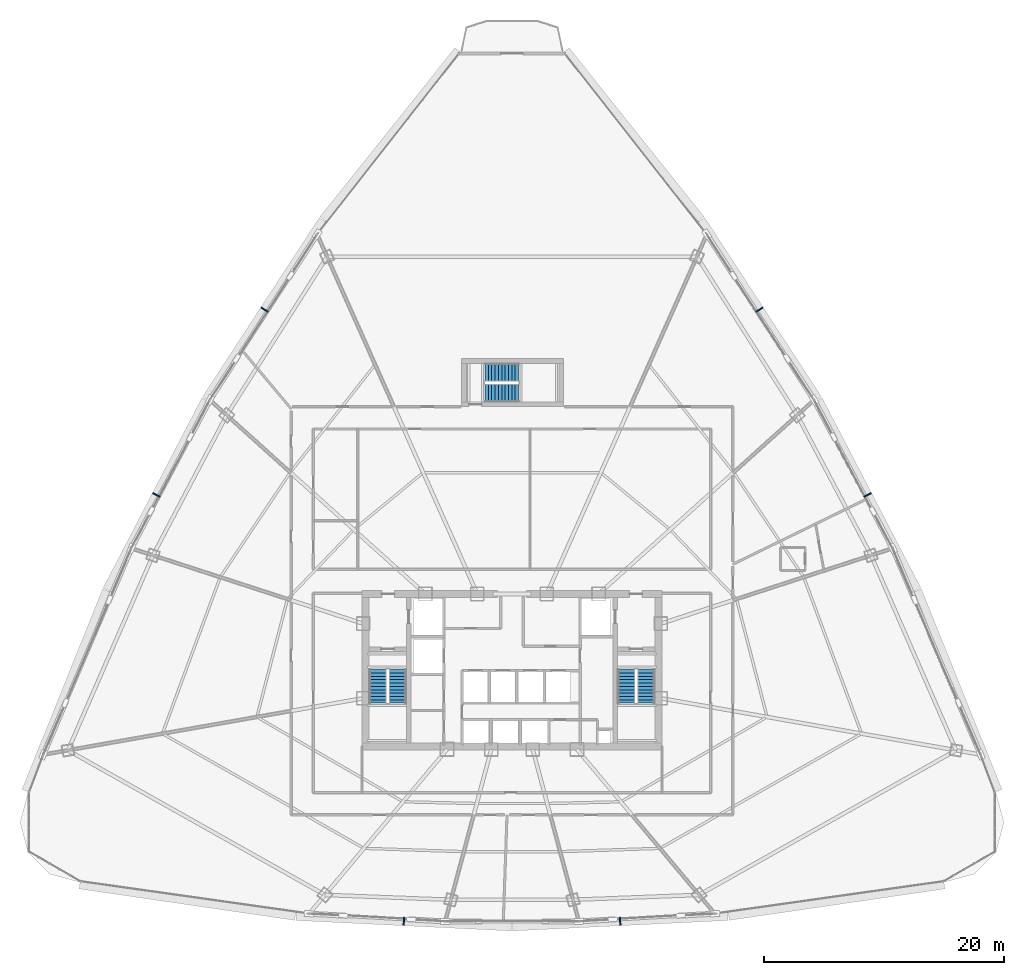
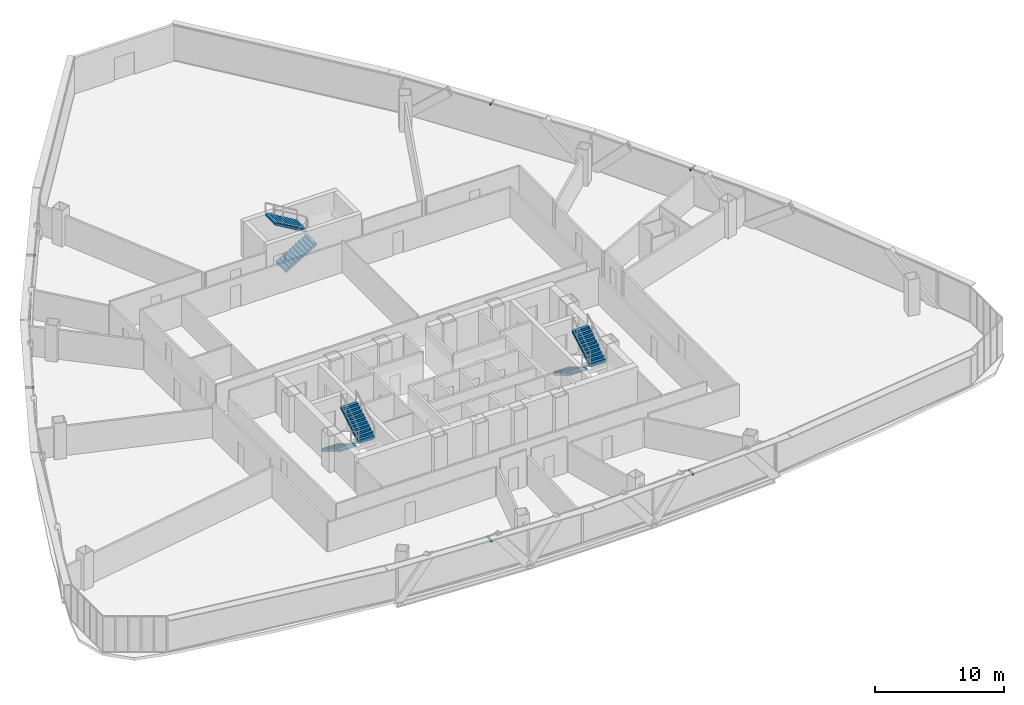
# One storey, part 38 of 42: 6 discrete accessories, 6 stair flights, 3 elements without a shape of their own.
"""IFC4 building model written with IfcOpenShell, lengths in metres."""

from ifc_helpers import new_model, si_unit, direction, frame, origin, origin_2d, place, context, subcontext, project, spatial, polyline, rectangle, outline, extrude, source, transform, mapped, material, type_object, element, aggregate, save


model = new_model("IFC4")

# Units and contexts
model_context = context("Model", 3, precision=1e-05, world=origin(), true_north=direction((0.0, 1.0)))
body_context = subcontext(model_context, "Body", "Model", "MODEL_VIEW")
ifc_project = project(units=[si_unit("LENGTHUNIT", "METRE"), si_unit("AREAUNIT", "SQUARE_METRE"), si_unit("VOLUMEUNIT", "CUBIC_METRE"), si_unit("PLANEANGLEUNIT", "RADIAN"), si_unit("MASSUNIT", "GRAM", prefix="KILO"), si_unit("THERMODYNAMICTEMPERATUREUNIT", "KELVIN"), si_unit("POWERUNIT", "WATT")], contexts=[model_context])

# Site, building, storey
site_placement = place(None, origin())
site = spatial("IfcSite", under=ifc_project, at=site_placement, CompositionType="ELEMENT")
building_placement = place(site_placement, origin())
building = spatial("IfcBuilding", under=site, at=building_placement, Name="Yunzhuo Pagoda Commons", CompositionType="ELEMENT")
storey_placement = place(building_placement, frame((0.0, 0.0, 129.830078125)))
storey = spatial("IfcBuildingStorey", under=building, at=storey_placement, Name="L32", CompositionType="ELEMENT", Elevation=129.830078125)

# Stair, stair flights
ifc_material_1 = material(Name="Concrete C40", Category="concrete")
stair_type_1 = type_object("IfcStairType", Name="ST-C1 Core Smokeproof Stair ST1", PredefinedType="HALF_TURN_STAIR", material=ifc_material_1)
stair_1_placement = place(storey_placement, origin())
stair_1 = element("IfcStair", 1, at=stair_1_placement, inside=storey, type_object=stair_type_1, Name="L32 Core smokeproof stair ST1", PredefinedType="HALF_TURN_STAIR")
stair_flight_type_1 = type_object("IfcStairFlightType", Name="STF-C1 Core Stair Flight 1450", PredefinedType="STRAIGHT", material=ifc_material_1)
shared_shape_1 = source(origin(), body_context, "Body", "SweptSolid", [
    extrude(outline(polyline([(0.0, -0.14990234375), (0.0, 0.0), (0.0, 0.167236328125), (0.280029296875, 0.167236328125), (0.280029296875, 0.33447265625), (0.56005859375, 0.33447265625), (0.56005859375, 0.501708984375), (0.840087890625, 0.501708984375), (0.840087890625, 0.669189453125), (1.1201171875, 0.669189453125), (1.1201171875, 0.83642578125), (1.39990234375, 0.83642578125), (1.39990234375, 1.003662109375), (1.679931640625, 1.003662109375), (1.679931640625, 1.1708984375), (1.9599609375, 1.1708984375), (1.9599609375, 1.338134765625), (2.239990234375, 1.338134765625), (2.239990234375, 1.50537109375), (2.52001953125, 1.50537109375), (2.52001953125, 1.672607421875), (2.800048828125, 1.672607421875), (2.800048828125, 1.840087890625), (2.800048828125, 1.498046875), (0.292236328125, 0.0), (0.050048828125, -0.14990234375), (0.0, -0.14990234375)])), frame((0.0, 0.72509765625, 0.0), z_axis=(0.0, -1.0, 0.0), x_axis=(1.0, 0.0, 0.0)), (0.0, 0.0, 1.0), 1.449951171875),
])
stair_flight_1_placement = place(storey_placement, frame((36.824951171875, 33.89990234375, 0.0), z_axis=(0.0, 0.0, 1.0), x_axis=(0.0, -1.0, 0.0)))
stair_flight_1 = element("IfcStairFlight", 2, at=stair_flight_1_placement, type_object=stair_flight_type_1, Name="ST1 flight 1", NumberOfRisers=11, NumberOfTreads=10, PredefinedType="STRAIGHT", RiserHeight=0.167272727, TreadLength=0.28, context=body_context, shape_type="MappedRepresentation", body=[
    mapped(shared_shape_1, transform((0.0, 0.0, 0.0), scale=1.0)),
])
stair_flight_2_placement = place(storey_placement, frame((38.47509765625, 31.10009765625, 1.83984375), z_axis=(0.0, 0.0, 1.0), x_axis=(0.0, 1.0, 0.0)))
stair_flight_2 = element("IfcStairFlight", 3, at=stair_flight_2_placement, type_object=stair_flight_type_1, Name="ST1 flight 2", NumberOfRisers=11, NumberOfTreads=10, PredefinedType="STRAIGHT", RiserHeight=0.167272727, TreadLength=0.28, context=body_context, shape_type="MappedRepresentation", body=[
    mapped(shared_shape_1, transform((0.0, 0.0, 0.0), scale=1.0)),
])
aggregate(stair_1, [stair_flight_1, stair_flight_2])

stair_type_2 = type_object("IfcStairType", Name="ST-C2 Core Smokeproof Stair ST2", PredefinedType="HALF_TURN_STAIR", material=ifc_material_1)
stair_2_placement = place(storey_placement, origin())
stair_2 = element("IfcStair", 4, at=stair_2_placement, inside=storey, type_object=stair_type_2, Name="L32 Core smokeproof stair ST2", PredefinedType="HALF_TURN_STAIR")
stair_flight_type_2 = type_object("IfcStairFlightType", Name="STF-C2 Core Stair Flight 1460", PredefinedType="STRAIGHT", material=ifc_material_1)
stair_flight_3_placement = place(storey_placement, frame((57.52490234375, 33.89990234375, 0.0), z_axis=(0.0, 0.0, 1.0), x_axis=(0.0, -1.0, 0.0)))
stair_flight_3 = element("IfcStairFlight", 5, at=stair_flight_3_placement, type_object=stair_flight_type_2, Name="ST2 flight 1", NumberOfRisers=11, NumberOfTreads=10, PredefinedType="STRAIGHT", RiserHeight=0.167272727, TreadLength=0.28, context=body_context, shape_type="MappedRepresentation", body=[
    mapped(shared_shape_1, transform((0.0, 0.0, 0.0), scale=1.0)),
])
stair_flight_4_placement = place(storey_placement, frame((59.175048828125, 31.10009765625, 1.83984375), z_axis=(0.0, 0.0, 1.0), x_axis=(0.0, 1.0, 0.0)))
stair_flight_4 = element("IfcStairFlight", 6, at=stair_flight_4_placement, type_object=stair_flight_type_2, Name="ST2 flight 2", NumberOfRisers=11, NumberOfTreads=10, PredefinedType="STRAIGHT", RiserHeight=0.167272727, TreadLength=0.28, context=body_context, shape_type="MappedRepresentation", body=[
    mapped(shared_shape_1, transform((0.0, 0.0, 0.0), scale=1.0)),
])
aggregate(stair_2, [stair_flight_3, stair_flight_4])

stair_type_3 = type_object("IfcStairType", Name="ST-C3 North Tower Smokeproof Stair ST3", PredefinedType="HALF_TURN_STAIR", material=ifc_material_1)
stair_3_placement = place(storey_placement, origin())
stair_3 = element("IfcStair", 7, at=stair_3_placement, inside=storey, type_object=stair_type_3, Name="L32 North tower smokeproof stair ST3", PredefinedType="HALF_TURN_STAIR")
stair_flight_type_3 = type_object("IfcStairFlightType", Name="STF-C3 North Stair Flight 1500", PredefinedType="STRAIGHT", material=ifc_material_1)
shared_shape_2 = source(origin(), body_context, "Body", "SweptSolid", [
    extrude(outline(polyline([(0.0, -0.14990234375), (0.0, 0.0), (0.0, 0.167236328125), (0.280029296875, 0.167236328125), (0.280029296875, 0.33447265625), (0.56005859375, 0.33447265625), (0.56005859375, 0.501708984375), (0.840087890625, 0.501708984375), (0.840087890625, 0.669189453125), (1.1201171875, 0.669189453125), (1.1201171875, 0.83642578125), (1.39990234375, 0.83642578125), (1.39990234375, 1.003662109375), (1.679931640625, 1.003662109375), (1.679931640625, 1.1708984375), (1.9599609375, 1.1708984375), (1.9599609375, 1.338134765625), (2.239990234375, 1.338134765625), (2.239990234375, 1.50537109375), (2.52001953125, 1.50537109375), (2.52001953125, 1.672607421875), (2.800048828125, 1.672607421875), (2.800048828125, 1.840087890625), (2.800048828125, 1.498046875), (0.292236328125, 0.0), (0.050048828125, -0.14990234375), (0.0, -0.14990234375)])), frame((0.0, 0.75, 0.0), z_axis=(0.0, -1.0, 0.0), x_axis=(1.0, 0.0, 0.0)), (0.0, 0.0, 1.0), 1.5),
])
stair_flight_5_placement = place(storey_placement, frame((45.75, 56.949951171875, 0.0), z_axis=(0.0, 0.0, 1.0), x_axis=(1.0, 0.0, 0.0)))
stair_flight_5 = element("IfcStairFlight", 8, at=stair_flight_5_placement, type_object=stair_flight_type_3, Name="ST3 flight 1", NumberOfRisers=11, NumberOfTreads=10, PredefinedType="STRAIGHT", RiserHeight=0.167272727, TreadLength=0.28, context=body_context, shape_type="MappedRepresentation", body=[
    mapped(shared_shape_2, transform((0.0, 0.0, 0.0), scale=1.0)),
])
stair_flight_6_placement = place(storey_placement, frame((48.550048828125, 58.64990234375, 1.83984375), z_axis=(0.0, 0.0, 1.0), x_axis=(-1.0, 0.0, 0.0)))
stair_flight_6 = element("IfcStairFlight", 9, at=stair_flight_6_placement, type_object=stair_flight_type_3, Name="ST3 flight 2", NumberOfRisers=11, NumberOfTreads=10, PredefinedType="STRAIGHT", RiserHeight=0.167272727, TreadLength=0.28, context=body_context, shape_type="MappedRepresentation", body=[
    mapped(shared_shape_2, transform((0.0, 0.0, 0.0), scale=1.0)),
])
aggregate(stair_3, [stair_flight_5, stair_flight_6])

# Discrete accessories
ifc_material_2 = material(Name="Anodized aluminium 6063-T6", Category="aluminium")
discrete_accessory_type = type_object("IfcDiscreteAccessoryType", Name="BK-SUN1 Sunshade Outrigger Bracket", PredefinedType="BRACKET", material=ifc_material_2)
shared_shape_3 = source(origin(), body_context, "Body", "SweptSolid", [
    extrude(rectangle(XDim=0.1201171875, YDim=0.679931640625, at=origin_2d()), origin(), (0.0, 0.0, 1.0), 0.179931640625),
])
for number, where, z_axis, x_axis, name in (
    (10, (38.9873046875, 12.923095703125, 3.2099609375), (0.0, 0.0, 1.0), (0.998818043775, -0.04860571396, 0.0), "L32 sunshade outrigger bracket F1.2"),
    (11, (57.0126953125, 12.923095703125, 3.2099609375), (0.0, 0.0, 1.0), (0.998818043775, 0.04860571396, 0.0), "L32 sunshade outrigger bracket F1.3"),
    (12, (77.634765625, 48.453857421875, 3.2099609375), (0.0, 0.0, 1.0), (-0.461206683033, 0.88729273384, 0.0), "L32 sunshade outrigger bracket F2.2"),
    (13, (68.621826171875, 63.89404296875, 3.2099609375), (0.0, 0.0, 1.0), (-0.545838756973, 0.837890238269, 0.0), "L32 sunshade outrigger bracket F2.3"),
    (14, (27.378173828125, 63.89404296875, 3.2099609375), (0.0, 0.0, 1.0), (-0.545838756973, -0.837890238269, 0.0), "L32 sunshade outrigger bracket F3.2"),
    (15, (18.365234375, 48.453857421875, 3.2099609375), (0.0, 0.0, 1.0), (-0.461206683033, -0.88729273384, 0.0), "L32 sunshade outrigger bracket F3.3"),
):
    element("IfcDiscreteAccessory", number, at=place(storey_placement, frame(where, z_axis=z_axis, x_axis=x_axis)), inside=storey, type_object=discrete_accessory_type, Name=name, PredefinedType="BRACKET", context=body_context, shape_type="MappedRepresentation", body=[
        mapped(shared_shape_3, transform((0.0, 0.0, 0.0), scale=1.0)),
    ])

save(model, "model.ifc")
